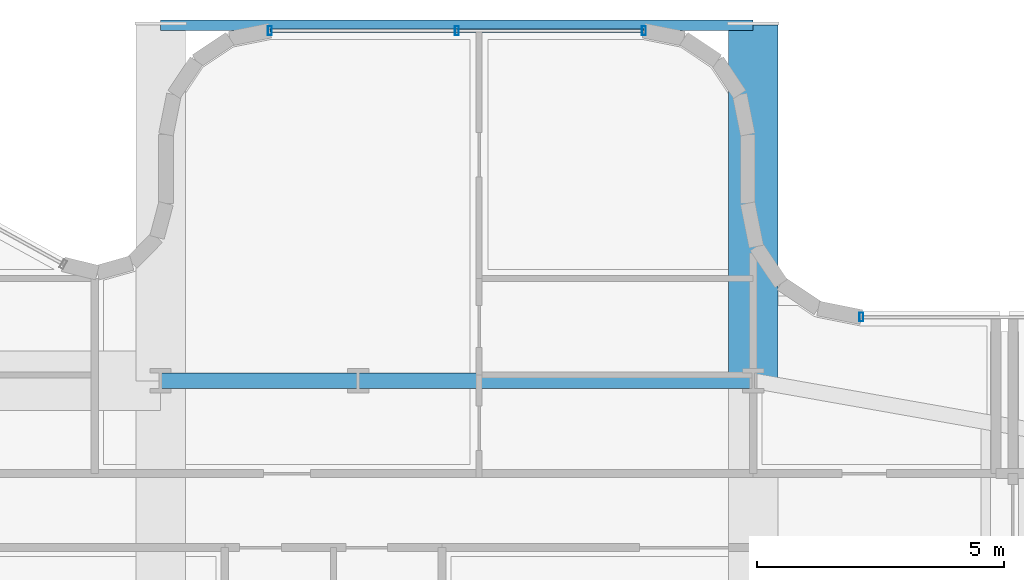
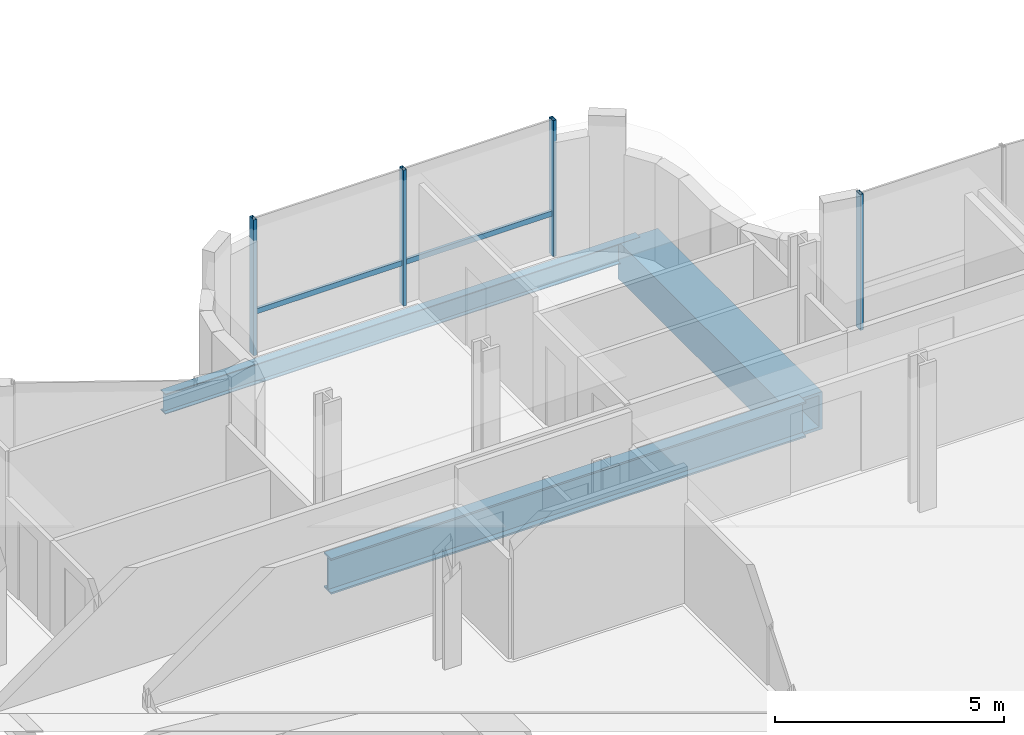
# One storey, part 22 of 39: 5 members, 3 beams, 2 elements without a shape of their own.
"""IFC4 building model written with IfcOpenShell, lengths in metres."""

from ifc_helpers import new_model, si_unit, direction, frame, origin, origin_2d, place, context, subcontext, project, spatial, hollow_rectangle, i_section, extrude, source, transform, mapped, material, material_profile, profile_set, type_object, element, aggregate, save


model = new_model("IFC4")

# Units and contexts
model_context = context("Model", 3, precision=1e-05, world=origin(), true_north=direction((0.0, 1.0)))
body_context = subcontext(model_context, "Body", "Model", "MODEL_VIEW")
ifc_project = project(units=[si_unit("LENGTHUNIT", "METRE"), si_unit("AREAUNIT", "SQUARE_METRE"), si_unit("VOLUMEUNIT", "CUBIC_METRE"), si_unit("PLANEANGLEUNIT", "RADIAN"), si_unit("MASSUNIT", "GRAM", prefix="KILO")], contexts=[model_context])

# Site, building, storey
site_placement = place(None, origin())
site = spatial("IfcSite", under=ifc_project, at=site_placement, CompositionType="ELEMENT")
building_placement = place(site_placement, origin())
building = spatial("IfcBuilding", under=site, at=building_placement, Name="Valdorenza Pilgrim Sanctuary Tower", CompositionType="ELEMENT")
storey_placement = place(building_placement, frame((0.0, 0.0, 184.449951171875)))
storey = spatial("IfcBuildingStorey", under=building, at=storey_placement, Name="L47", CompositionType="ELEMENT", Elevation=184.449951171875)

# Beams
ifc_material_1 = material(Name="Steel ASTM A572 Grade 42", Category="steel")
ifc_material_profile_1 = material_profile(ifc_material_1, hollow_rectangle(XDim=1.0, YDim=1.0, WallThickness=0.080078125, at=origin_2d()), Name="BOX 1000x1000x80")
ifc_profile_set_1 = profile_set([ifc_material_profile_1], Name="Steel ASTM A572 Grade 42")
beam_type_1 = type_object("IfcBeamType", Name="STR-BM-PROW-CANT", PredefinedType="BEAM", material=ifc_profile_set_1)
shared_shape_1 = source(origin(), body_context, "Body", "SweptSolid", [
    extrude(hollow_rectangle(XDim=1.0, YDim=1.0, WallThickness=0.080078125, at=origin_2d()), origin(), (0.0, 0.0, 1.0), 7.199951171875),
])
beam_1_placement = place(storey_placement, frame((8.5, 14.800048828125, -0.820068359375), z_axis=(0.0, 1.0, 0.0), x_axis=(-1.0, 0.0, 0.0)))
element("IfcBeam", 1, at=beam_1_placement, inside=storey, type_object=beam_type_1, Name="L47 North Sanctuary Prow Cantilever PROW-CANT-N-E", PredefinedType="BEAM", context=body_context, shape_type="MappedRepresentation", body=[
    mapped(shared_shape_1, transform((0.0, 0.0, 0.0), x_axis=(1.0, 0.0, 0.0), y_axis=(0.0, 1.0, 0.0), z_axis=(0.0, 0.0, 1.0), scale=1.0)),
])
ifc_material_2 = material(Name="Steel ASTM A992 Grade 50", Category="steel")
ifc_material_profile_2 = material_profile(ifc_material_2, i_section(OverallWidth=0.2109375, OverallDepth=0.5390625, WebThickness=0.01171875, FlangeThickness=0.018798828125, at=origin_2d()), Name="W21X73")
ifc_profile_set_2 = profile_set([ifc_material_profile_2], Name="Steel ASTM A992 Grade 50")
beam_type_2 = type_object("IfcBeamType", Name="STR-BM-SPN-W21B", PredefinedType="SPANDREL", material=ifc_profile_set_2)
shared_shape_2 = source(origin(), body_context, "Body", "SweptSolid", [
    extrude(i_section(OverallWidth=0.2109375, OverallDepth=0.5390625, WebThickness=0.01171875, FlangeThickness=0.018798828125, at=origin_2d()), origin(), (0.0, 0.0, 1.0), 12.0),
])
beam_2_placement = place(storey_placement, frame((-3.5, 22.0, -0.58935546875), z_axis=(1.0, 0.0, 0.0), x_axis=(0.0, 1.0, 0.0)))
element("IfcBeam", 2, at=beam_2_placement, inside=storey, type_object=beam_type_2, Name="L47 North Prow Tip Spandrel PROW-TIP-N", PredefinedType="SPANDREL", context=body_context, shape_type="MappedRepresentation", body=[
    mapped(shared_shape_2, transform((0.0, 0.0, 0.0), x_axis=(1.0, 0.0, 0.0), y_axis=(0.0, 1.0, 0.0), z_axis=(0.0, 0.0, 1.0), scale=1.0)),
])
ifc_material_profile_3 = material_profile(ifc_material_2, i_section(OverallWidth=0.31005859375, OverallDepth=0.949951171875, WebThickness=0.0244140625, FlangeThickness=0.0439453125, at=origin_2d()), Name="W36X256")
ifc_profile_set_3 = profile_set([ifc_material_profile_3], Name="Steel ASTM A992 Grade 50")
beam_type_3 = type_object("IfcBeamType", Name="STR-BM-GRD-W36B", PredefinedType="BEAM", material=ifc_profile_set_3)
shared_shape_3 = source(origin(), body_context, "Body", "SweptSolid", [
    extrude(i_section(OverallWidth=0.31005859375, OverallDepth=0.949951171875, WebThickness=0.0244140625, FlangeThickness=0.0439453125, at=origin_2d()), origin(), (0.0, 0.0, 1.0), 12.0),
])
beam_3_placement = place(storey_placement, frame((-3.5, 14.800048828125, -0.794921875), z_axis=(1.0, 0.0, 0.0), x_axis=(0.0, 1.0, 0.0)))
element("IfcBeam", 3, at=beam_3_placement, inside=storey, type_object=beam_type_3, Name="L47 Portal Bridge Span Girder PRY-G2-P14", PredefinedType="BEAM", context=body_context, shape_type="MappedRepresentation", body=[
    mapped(shared_shape_3, transform((0.0, 0.0, 0.0), x_axis=(1.0, 0.0, 0.0), y_axis=(0.0, 1.0, 0.0), z_axis=(0.0, 0.0, 1.0), scale=1.0)),
])

# Curtain wall, members
ifc_material_3 = material(Name="Curtain-wall IGU glazing", Category="glass")
curtain_wall_type = type_object("IfcCurtainWallType", Name="CW-SYS-05", PredefinedType="NOTDEFINED", material=ifc_material_3)
curtain_wall_1_placement = place(storey_placement, origin())
curtain_wall_1 = element("IfcCurtainWall", 4, at=curtain_wall_1_placement, inside=storey, type_object=curtain_wall_type, Name="L47 Curtain Wall CW-L47-1-21", PredefinedType="NOTDEFINED")
ifc_material_4 = material(Name="Anodised aluminium AW-6060", Category="aluminium")
ifc_material_profile_4 = material_profile(ifc_material_4, hollow_rectangle(XDim=0.070068359375, YDim=0.139892578125, WallThickness=0.00341796875, at=origin_2d()), Name="ALU-T 140x70x3.5")
ifc_profile_set_4 = profile_set([ifc_material_profile_4], Name="Anodised aluminium AW-6060")
member_type_1 = type_object("IfcMemberType", Name="CW-TRN-05", PredefinedType="USERDEFINED", material=ifc_profile_set_4)
shared_shape_4 = source(origin(), body_context, "Body", "SweptSolid", [
    extrude(hollow_rectangle(XDim=0.070068359375, YDim=0.139892578125, WallThickness=0.00341796875, at=origin_2d()), origin(), (0.0, 0.0, 1.0), 7.5703125),
])
member_1_placement = place(storey_placement, frame((-1.28515625, 21.889892578125, 1.1201171875), z_axis=(1.0, 0.0, 0.0), x_axis=(0.0, 1.0, 0.0)))
member_1 = element("IfcMember", 5, at=member_1_placement, type_object=member_type_1, Name="CW-L47-1-21 Transom 1", ObjectType="TRANSOM", PredefinedType="USERDEFINED", context=body_context, shape_type="MappedRepresentation", body=[
    mapped(shared_shape_4, transform((0.0, 0.0, 0.0), x_axis=(1.0, 0.0, 0.0), y_axis=(0.0, 1.0, 0.0), z_axis=(0.0, 0.0, 1.0), scale=1.0)),
])
ifc_material_profile_5 = material_profile(ifc_material_4, hollow_rectangle(XDim=0.080078125, YDim=0.179931640625, WallThickness=0.00439453125, at=origin_2d()), Name="ALU-M 180x80x4.5")
ifc_profile_set_5 = profile_set([ifc_material_profile_5], Name="Anodised aluminium AW-6060")
member_type_2 = type_object("IfcMemberType", Name="CW-MUL-05", PredefinedType="MULLION", material=ifc_profile_set_5)
shared_shape_5 = source(origin(), body_context, "Body", "SweptSolid", [
    extrude(hollow_rectangle(XDim=0.080078125, YDim=0.179931640625, WallThickness=0.00439453125, at=origin_2d()), origin(), (0.0, 0.0, 1.0), 3.630126953125),
])
member_2_placement = place(storey_placement, frame((-1.28515625, 21.889892578125, 0.0), z_axis=(0.0, 0.0, 1.0), x_axis=(1.0, 0.0, 0.0)))
member_2 = element("IfcMember", 6, at=member_2_placement, type_object=member_type_2, Name="CW-L47-1-21 Mullion 1", PredefinedType="MULLION", context=body_context, shape_type="MappedRepresentation", body=[
    mapped(shared_shape_5, transform((0.0, 0.0, 0.0), x_axis=(1.0, 0.0, 0.0), y_axis=(0.0, 1.0, 0.0), z_axis=(0.0, 0.0, 1.0), scale=1.0)),
])
member_3_placement = place(storey_placement, frame((2.5, 21.889892578125, 0.0), z_axis=(0.0, 0.0, 1.0), x_axis=(1.0, 0.0, 0.0)))
member_3 = element("IfcMember", 7, at=member_3_placement, type_object=member_type_2, Name="CW-L47-1-21 Mullion 2", PredefinedType="MULLION", context=body_context, shape_type="MappedRepresentation", body=[
    mapped(shared_shape_5, transform((0.0, 0.0, 0.0), x_axis=(1.0, 0.0, 0.0), y_axis=(0.0, 1.0, 0.0), z_axis=(0.0, 0.0, 1.0), scale=1.0)),
])
member_4_placement = place(storey_placement, frame((6.28515625, 21.889892578125, 0.0), z_axis=(0.0, 0.0, 1.0), x_axis=(1.0, 0.0, 0.0)))
member_4 = element("IfcMember", 8, at=member_4_placement, type_object=member_type_2, Name="CW-L47-1-21 Mullion 3", PredefinedType="MULLION", context=body_context, shape_type="MappedRepresentation", body=[
    mapped(shared_shape_5, transform((0.0, 0.0, 0.0), x_axis=(1.0, 0.0, 0.0), y_axis=(0.0, 1.0, 0.0), z_axis=(0.0, 0.0, 1.0), scale=1.0)),
])
aggregate(curtain_wall_1, [member_2, member_3, member_4, member_1])

# Curtain wall, member
curtain_wall_2_placement = place(storey_placement, origin())
curtain_wall_2 = element("IfcCurtainWall", 9, at=curtain_wall_2_placement, inside=storey, type_object=curtain_wall_type, Name="L47 Curtain Wall CW-L47-1-31", PredefinedType="NOTDEFINED")
member_5_placement = place(storey_placement, frame((10.693115234375, 16.090087890625, 0.0), z_axis=(0.0, 0.0, 1.0), x_axis=(1.0, 0.0, 0.0)))
member_5 = element("IfcMember", 10, at=member_5_placement, type_object=member_type_2, Name="CW-L47-1-31 Mullion 1", PredefinedType="MULLION", context=body_context, shape_type="MappedRepresentation", body=[
    mapped(shared_shape_5, transform((0.0, 0.0, 0.0), x_axis=(1.0, 0.0, 0.0), y_axis=(0.0, 1.0, 0.0), z_axis=(0.0, 0.0, 1.0), scale=1.0)),
])
aggregate(curtain_wall_2, [member_5])

save(model, "model.ifc")
